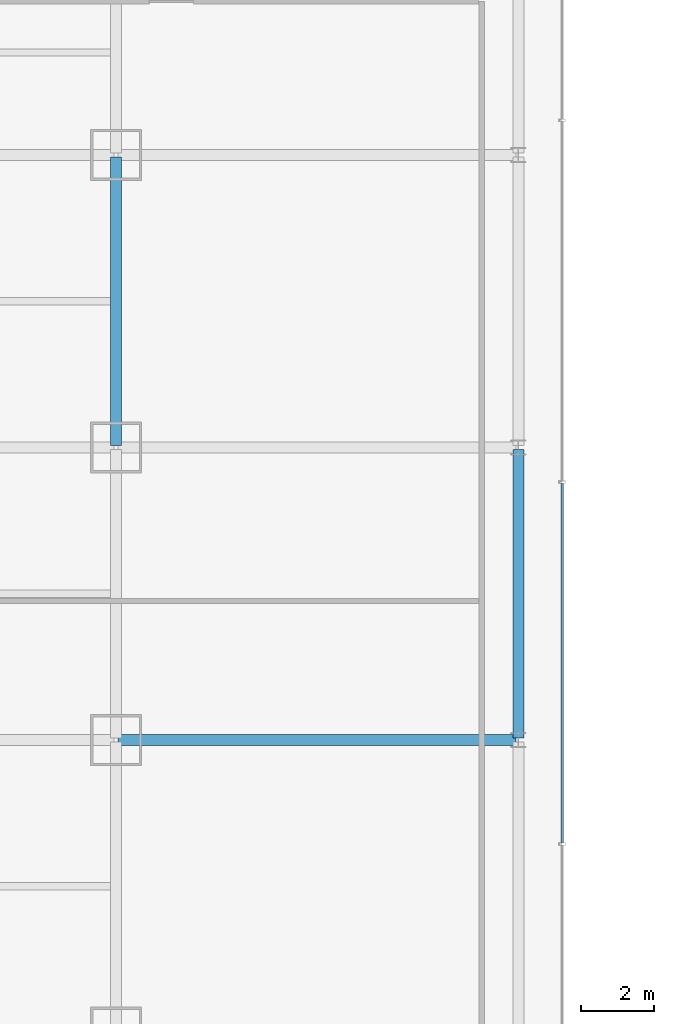
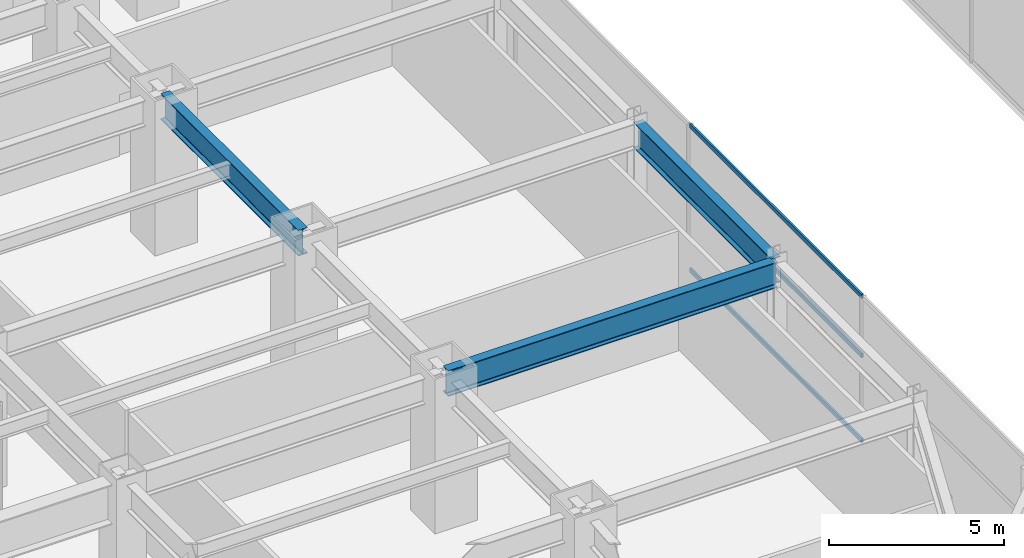
# One storey, part 21 of 52: 3 beams, 3 members, 1 element without a shape of its own.
"""IFC4 building model written with IfcOpenShell, lengths in metres."""

from ifc_helpers import new_model, si_unit, direction, frame, origin, origin_2d, place, context, subcontext, project, spatial, hollow_rectangle, i_section, extrude, material, material_profile, profile_set, type_object, element, aggregate, save


model = new_model("IFC4")

# Units and contexts
model_context = context("Model", 3, precision=1e-05, world=origin(), true_north=direction((0.0, 1.0)))
body_context = subcontext(model_context, "Body", "Model", "MODEL_VIEW")
ifc_project = project(units=[si_unit("LENGTHUNIT", "METRE"), si_unit("AREAUNIT", "SQUARE_METRE"), si_unit("VOLUMEUNIT", "CUBIC_METRE"), si_unit("PLANEANGLEUNIT", "RADIAN"), si_unit("MASSUNIT", "GRAM", prefix="KILO")], contexts=[model_context])

# Site, building, storey
site_placement = place(None, origin())
site = spatial("IfcSite", under=ifc_project, at=site_placement, CompositionType="ELEMENT")
building_placement = place(site_placement, origin())
building = spatial("IfcBuilding", under=site, at=building_placement, Name="Saevonmaru Cultural Tower", CompositionType="ELEMENT")
storey_placement = place(building_placement, frame((0.0, 0.0, 11.39990234375)))
storey = spatial("IfcBuildingStorey", under=building, at=storey_placement, Name="L02", CompositionType="ELEMENT", Elevation=11.39990234375)

# Beams
ifc_material_1 = material(Name="Steel SM420", Category="steel")
ifc_material_profile_1 = material_profile(ifc_material_1, i_section(OverallWidth=0.300048828125, OverallDepth=0.89990234375, WebThickness=0.01611328125, FlangeThickness=0.028076171875, FilletRadius=0.028076171875, at=origin_2d()), Name="H-900x300x16x28")
ifc_profile_set_1 = profile_set([ifc_material_profile_1], Name="Steel SM420")
beam_type = type_object("IfcBeamType", Name="BM-G-H900", PredefinedType="BEAM", material=ifc_profile_set_1)
beam_1_placement = place(storey_placement, frame((47.800048828125, 24.06005859375, 4.650146484375), z_axis=(0.0, 1.0, 0.0), x_axis=(-1.0, 0.0, 0.0)))
element("IfcBeam", 1, at=beam_1_placement, inside=storey, type_object=beam_type, Name="L02 Podium Girder NS4-4", PredefinedType="BEAM", context=body_context, shape_type="SweptSolid", body=[
    extrude(i_section(OverallWidth=0.300048828125, OverallDepth=0.89990234375, WebThickness=0.01611328125, FlangeThickness=0.028076171875, FilletRadius=0.028076171875, at=origin_2d()), origin(), (0.0, 0.0, 1.0), 7.8798828125),
])
beam_2_placement = place(storey_placement, frame((47.860107421875, 16.0, 4.650146484375), z_axis=(1.0, 0.0, 0.0), x_axis=(0.0, 1.0, 0.0)))
element("IfcBeam", 2, at=beam_2_placement, inside=storey, type_object=beam_type, Name="BM-POD-OE-2-L02", PredefinedType="BEAM", context=body_context, shape_type="SweptSolid", body=[
    extrude(i_section(OverallWidth=0.300048828125, OverallDepth=0.89990234375, WebThickness=0.01611328125, FlangeThickness=0.028076171875, FilletRadius=0.028076171875, at=origin_2d()), origin(), (0.0, 0.0, 1.0), 10.8798828125),
])
beam_3_placement = place(storey_placement, frame((58.800048828125, 16.06005859375, 4.650146484375), z_axis=(0.0, 1.0, 0.0), x_axis=(-1.0, 0.0, 0.0)))
element("IfcBeam", 3, at=beam_3_placement, inside=storey, type_object=beam_type, Name="BM-POD-PE-2-L02", PredefinedType="BEAM", context=body_context, shape_type="SweptSolid", body=[
    extrude(i_section(OverallWidth=0.300048828125, OverallDepth=0.89990234375, WebThickness=0.01611328125, FlangeThickness=0.028076171875, FilletRadius=0.028076171875, at=origin_2d()), origin(), (0.0, 0.0, 1.0), 7.8798828125),
])

# Curtain wall, members
ifc_material_2 = material(Name="Satin Bronze Anodised Aluminium", Category="aluminium")
curtain_wall_type = type_object("IfcCurtainWallType", Name="CW-POD-GLZ", PredefinedType="NOTDEFINED", material=ifc_material_2)
curtain_wall_placement = place(storey_placement, origin())
curtain_wall = element("IfcCurtainWall", 4, at=curtain_wall_placement, inside=storey, type_object=curtain_wall_type, Name="L02 Saevon Plaza Curtain Wall", PredefinedType="NOTDEFINED")
ifc_material_profile_2 = material_profile(ifc_material_2, hollow_rectangle(XDim=0.06494140625, YDim=0.14990234375, WallThickness=0.00390625, at=origin_2d()), Name="ALU-TRAN-150x65x4")
ifc_profile_set_2 = profile_set([ifc_material_profile_2], Name="Satin Bronze Anodised Aluminium")
member_type = type_object("IfcMemberType", Name="TR-CW-150x65", PredefinedType="USERDEFINED", material=ifc_profile_set_2)
member_1_placement = place(storey_placement, frame((60.0, 13.1884765625, 0.03271484375), z_axis=(0.0, 1.0, 0.0), x_axis=(-1.0, 0.0, 0.0)))
member_1 = element("IfcMember", 5, at=member_1_placement, type_object=member_type, Name="CW-POD-E-L02 transom 2.1", ObjectType="TRANSOM", PredefinedType="USERDEFINED", context=body_context, shape_type="SweptSolid", body=[
    extrude(hollow_rectangle(XDim=0.06494140625, YDim=0.14990234375, WallThickness=0.00390625, at=origin_2d()), origin(), (0.0, 0.0, 1.0), 9.8310546875),
])
member_2_placement = place(storey_placement, frame((60.0, 13.1884765625, 3.0), z_axis=(0.0, 1.0, 0.0), x_axis=(-1.0, 0.0, 0.0)))
member_2 = element("IfcMember", 6, at=member_2_placement, type_object=member_type, Name="CW-POD-E-L02 transom 2.2", ObjectType="TRANSOM", PredefinedType="USERDEFINED", context=body_context, shape_type="SweptSolid", body=[
    extrude(hollow_rectangle(XDim=0.06494140625, YDim=0.14990234375, WallThickness=0.00390625, at=origin_2d()), origin(), (0.0, 0.0, 1.0), 9.8310546875),
])
member_3_placement = place(storey_placement, frame((60.0, 13.1884765625, 5.067626953125), z_axis=(0.0, 1.0, 0.0), x_axis=(-1.0, 0.0, 0.0)))
member_3 = element("IfcMember", 7, at=member_3_placement, type_object=member_type, Name="CW-POD-E-L02 transom 2.3", ObjectType="TRANSOM", PredefinedType="USERDEFINED", context=body_context, shape_type="SweptSolid", body=[
    extrude(hollow_rectangle(XDim=0.06494140625, YDim=0.14990234375, WallThickness=0.00390625, at=origin_2d()), origin(), (0.0, 0.0, 1.0), 9.8310546875),
])
aggregate(curtain_wall, [member_1, member_2, member_3])

save(model, "model.ifc")
